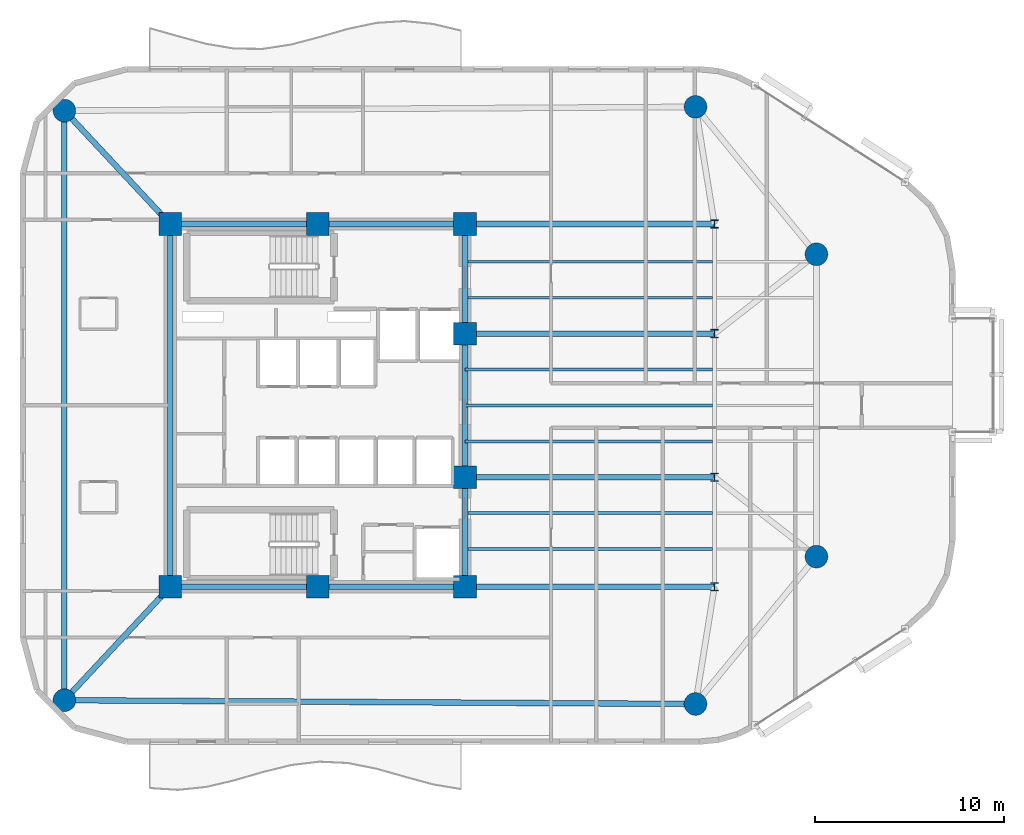
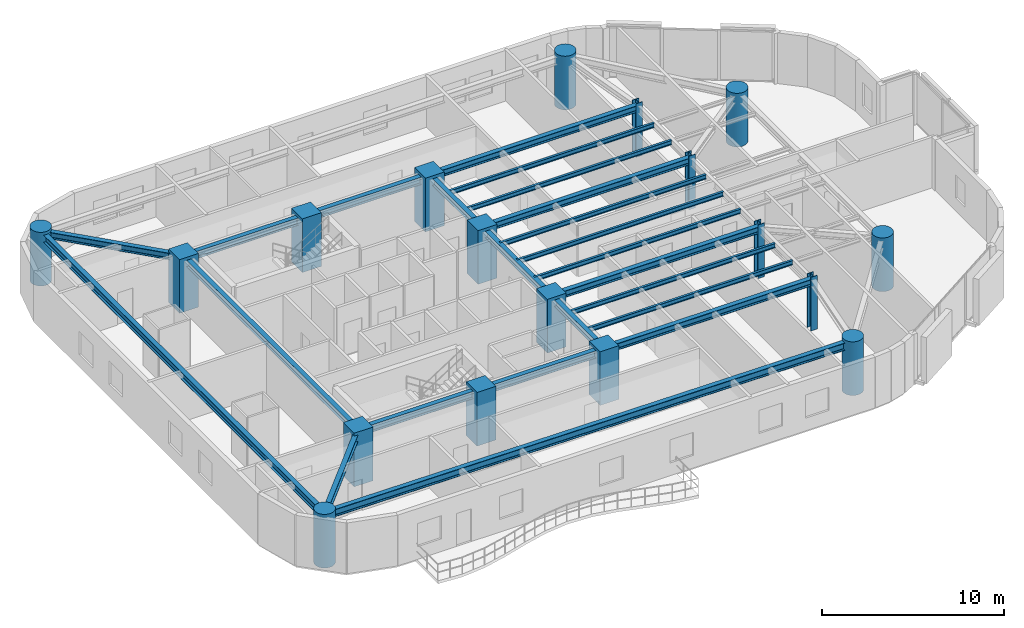
# One storey, part 1 of 13: 21 beams, 18 columns.
"""IFC4 building model written with IfcOpenShell, lengths in metres."""

from ifc_helpers import new_model, si_unit, direction, frame, origin, origin_2d, place, context, subcontext, project, spatial, rectangle, circle, i_section, extrude, material, material_profile, profile_set, type_object, element, save


model = new_model("IFC4")

# Units and contexts
model_context = context("Model", 3, precision=1e-05, world=origin(), true_north=direction((0.0, 1.0)))
body_context = subcontext(model_context, "Body", "Model", "MODEL_VIEW")
ifc_project = project(units=[si_unit("LENGTHUNIT", "METRE"), si_unit("AREAUNIT", "SQUARE_METRE"), si_unit("VOLUMEUNIT", "CUBIC_METRE"), si_unit("PLANEANGLEUNIT", "RADIAN"), si_unit("MASSUNIT", "GRAM", prefix="KILO")], contexts=[model_context])

# Site, building, storey
site_placement = place(None, origin())
site = spatial("IfcSite", under=ifc_project, at=site_placement, CompositionType="ELEMENT")
building_placement = place(site_placement, origin())
building = spatial("IfcBuilding", under=site, at=building_placement, Name="An Khanh Terracotta Commons", CompositionType="ELEMENT")
storey_placement = place(building_placement, frame((0.0, 0.0, 183.39990234375)))
storey = spatial("IfcBuildingStorey", under=building, at=storey_placement, Name="L48", CompositionType="ELEMENT", Elevation=183.39990234375)

# Columns
ifc_material_1 = material(Name="Concrete C60/75", Category="concrete")
ifc_material_profile_1 = material_profile(ifc_material_1, circle(Radius=0.60009765625, at=origin_2d()), Name="CFST1200")
ifc_profile_set_1 = profile_set([ifc_material_profile_1], Name="Concrete C60/75")
column_type_1 = type_object("IfcColumnType", Name="COL-CFST1200", PredefinedType="COLUMN", material=ifc_profile_set_1)
for number, where, z_axis, x_axis, name in (
    (1, (16.0, 8.39990234375, 0.0), (0.0, 0.0, 1.0), (1.0, 0.0, 0.0), "L48 Perimeter CFST Mega-Column MC-01"),
    (2, (49.39990234375, 8.199951171875, 0.0), (0.0, 0.0, 1.0), (1.0, 0.0, 0.0), "L48 Perimeter CFST Mega-Column MC-02"),
    (3, (55.800048828125, 16.0, 0.0), (0.0, 0.0, 1.0), (1.0, 0.0, 0.0), "L48 Perimeter CFST Mega-Column MC-03"),
    (4, (55.800048828125, 32.0, 0.0), (0.0, 0.0, 1.0), (1.0, 0.0, 0.0), "L48 Perimeter CFST Mega-Column MC-04"),
    (5, (49.39990234375, 39.800048828125, 0.0), (0.0, 0.0, 1.0), (1.0, 0.0, 0.0), "L48 Perimeter CFST Mega-Column MC-05"),
    (6, (16.0, 39.60009765625, 0.0), (0.0, 0.0, 1.0), (1.0, 0.0, 0.0), "L48 Perimeter CFST Mega-Column MC-06"),
):
    element("IfcColumn", number, at=place(storey_placement, frame(where, z_axis=z_axis, x_axis=x_axis)), inside=storey, type_object=column_type_1, Name=name, PredefinedType="COLUMN", context=body_context, shape_type="SweptSolid", body=[
        extrude(circle(Radius=0.60009765625, at=origin_2d()), origin(), (0.0, 0.0, 1.0), 3.60009765625),
    ])
ifc_material_2 = material(Name="Steel S460ML", Category="steel")
ifc_material_profile_2 = material_profile(ifc_material_2, i_section(OverallWidth=0.406005859375, OverallDepth=0.43994140625, WebThickness=0.02392578125, FlangeThickness=0.0390625, FilletRadius=0.014892578125, at=origin_2d()), Name="HD400x314")
ifc_profile_set_2 = profile_set([ifc_material_profile_2], Name="Steel S460ML")
column_type_2 = type_object("IfcColumnType", Name="COL-HD400x314", PredefinedType="COLUMN", material=ifc_profile_set_2)
for number, where, z_axis, x_axis, name in (
    (7, (50.39990234375, 14.39990234375, 0.0), (0.0, 0.0, 1.0), (1.0, 0.0, 0.0), "L48 Interior Frame Column TC-01"),
    (8, (50.39990234375, 20.199951171875, 0.0), (0.0, 0.0, 1.0), (1.0, 0.0, 0.0), "L48 Interior Frame Column TC-02"),
    (9, (50.39990234375, 27.800048828125, 0.0), (0.0, 0.0, 1.0), (1.0, 0.0, 0.0), "L48 Interior Frame Column TC-03"),
    (10, (50.39990234375, 33.60009765625, 0.0), (0.0, 0.0, 1.0), (1.0, 0.0, 0.0), "L48 Interior Frame Column TC-04"),
):
    element("IfcColumn", number, at=place(storey_placement, frame(where, z_axis=z_axis, x_axis=x_axis)), inside=storey, type_object=column_type_2, Name=name, PredefinedType="COLUMN", context=body_context, shape_type="SweptSolid", body=[
        extrude(i_section(OverallWidth=0.406005859375, OverallDepth=0.43994140625, WebThickness=0.02392578125, FlangeThickness=0.0390625, FilletRadius=0.014892578125, at=origin_2d()), origin(), (0.0, 0.0, 1.0), 3.60009765625),
    ])
ifc_material_profile_3 = material_profile(ifc_material_1, rectangle(XDim=1.199951171875, YDim=1.199951171875, at=origin_2d()), Name="RC1200x1200")
ifc_profile_set_3 = profile_set([ifc_material_profile_3], Name="Concrete C60/75")
column_type_3 = type_object("IfcColumnType", Name="COL-RC1200x1200", PredefinedType="COLUMN", material=ifc_profile_set_3)
for number, where, z_axis, x_axis, name in (
    (11, (21.60009765625, 14.39990234375, 0.0), (0.0, 0.0, 1.0), (1.0, 0.0, 0.0), "L48 Core Boundary Column CC-01"),
    (12, (29.39990234375, 14.39990234375, 0.0), (0.0, 0.0, 1.0), (1.0, 0.0, 0.0), "L48 Core Boundary Column CC-02"),
    (13, (37.199951171875, 14.39990234375, 0.0), (0.0, 0.0, 1.0), (1.0, 0.0, 0.0), "L48 Core Boundary Column CC-03"),
    (14, (37.199951171875, 20.199951171875, 0.0), (0.0, 0.0, 1.0), (1.0, 0.0, 0.0), "L48 Core Boundary Column CC-04"),
    (15, (37.199951171875, 27.800048828125, 0.0), (0.0, 0.0, 1.0), (1.0, 0.0, 0.0), "L48 Core Boundary Column CC-05"),
    (16, (37.199951171875, 33.60009765625, 0.0), (0.0, 0.0, 1.0), (1.0, 0.0, 0.0), "L48 Core Boundary Column CC-06"),
    (17, (29.39990234375, 33.60009765625, 0.0), (0.0, 0.0, 1.0), (1.0, 0.0, 0.0), "L48 Core Boundary Column CC-07"),
    (18, (21.60009765625, 33.60009765625, 0.0), (0.0, 0.0, 1.0), (1.0, 0.0, 0.0), "L48 Core Boundary Column CC-08"),
):
    element("IfcColumn", number, at=place(storey_placement, frame(where, z_axis=z_axis, x_axis=x_axis)), inside=storey, type_object=column_type_3, Name=name, PredefinedType="COLUMN", context=body_context, shape_type="SweptSolid", body=[
        extrude(rectangle(XDim=1.199951171875, YDim=1.199951171875, at=origin_2d()), origin(), (0.0, 0.0, 1.0), 3.60009765625),
    ])

# Beams
ifc_material_3 = material(Name="Steel S355J2", Category="steel")
ifc_material_profile_4 = material_profile(ifc_material_3, i_section(OverallWidth=0.300048828125, OverallDepth=0.449951171875, WebThickness=0.013916015625, FlangeThickness=0.02587890625, FilletRadius=0.027099609375, at=origin_2d()), Name="HEB450")
ifc_profile_set_4 = profile_set([ifc_material_profile_4], Name="Steel S355J2")
beam_type_1 = type_object("IfcBeamType", Name="BM-HEB450", PredefinedType="BEAM", material=ifc_profile_set_4)
beam_1_placement = place(storey_placement, frame((37.199951171875, 14.39990234375, 3.175048828125), z_axis=(0.0, 1.0, 0.0), x_axis=(-1.0, 0.0, 0.0)))
element("IfcBeam", 19, at=beam_1_placement, inside=storey, type_object=beam_type_1, Name="L48 Core East Coupling Girder 1", PredefinedType="BEAM", context=body_context, shape_type="SweptSolid", body=[
    extrude(i_section(OverallWidth=0.300048828125, OverallDepth=0.449951171875, WebThickness=0.013916015625, FlangeThickness=0.02587890625, FilletRadius=0.027099609375, at=origin_2d()), origin(), (0.0, 0.0, 1.0), 5.800048828125),
])
beam_2_placement = place(storey_placement, frame((37.199951171875, 20.199951171875, 3.175048828125), z_axis=(0.0, 1.0, 0.0), x_axis=(-1.0, 0.0, 0.0)))
element("IfcBeam", 20, at=beam_2_placement, inside=storey, type_object=beam_type_1, Name="L48 Core East Coupling Girder 2", PredefinedType="BEAM", context=body_context, shape_type="SweptSolid", body=[
    extrude(i_section(OverallWidth=0.300048828125, OverallDepth=0.449951171875, WebThickness=0.013916015625, FlangeThickness=0.02587890625, FilletRadius=0.027099609375, at=origin_2d()), origin(), (0.0, 0.0, 1.0), 7.60009765625),
])
beam_3_placement = place(storey_placement, frame((37.199951171875, 27.800048828125, 3.175048828125), z_axis=(0.0, 1.0, 0.0), x_axis=(-1.0, 0.0, 0.0)))
element("IfcBeam", 21, at=beam_3_placement, inside=storey, type_object=beam_type_1, Name="L48 Core East Coupling Girder 3", PredefinedType="BEAM", context=body_context, shape_type="SweptSolid", body=[
    extrude(i_section(OverallWidth=0.300048828125, OverallDepth=0.449951171875, WebThickness=0.013916015625, FlangeThickness=0.02587890625, FilletRadius=0.027099609375, at=origin_2d()), origin(), (0.0, 0.0, 1.0), 5.800048828125),
])
beam_4_placement = place(storey_placement, frame((21.60009765625, 14.39990234375, 3.175048828125), z_axis=(0.0, 1.0, 0.0), x_axis=(-1.0, 0.0, 0.0)))
element("IfcBeam", 22, at=beam_4_placement, inside=storey, type_object=beam_type_1, Name="L48 Core West Coupling Girder", PredefinedType="BEAM", context=body_context, shape_type="SweptSolid", body=[
    extrude(i_section(OverallWidth=0.300048828125, OverallDepth=0.449951171875, WebThickness=0.013916015625, FlangeThickness=0.02587890625, FilletRadius=0.027099609375, at=origin_2d()), origin(), (0.0, 0.0, 1.0), 19.2001953125),
])
for number, where, z_axis, x_axis, name in (
    (23, (37.199951171875, 14.39990234375, 3.175048828125), (1.0, 0.0, 0.0), (0.0, 1.0, 0.0), "L48 East Primary Floor Girder 1"),
    (24, (37.199951171875, 20.199951171875, 3.175048828125), (1.0, 0.0, 0.0), (0.0, 1.0, 0.0), "L48 East Primary Floor Girder 2"),
    (25, (37.199951171875, 27.800048828125, 3.175048828125), (1.0, 0.0, 0.0), (0.0, 1.0, 0.0), "L48 East Primary Floor Girder 3"),
    (26, (37.199951171875, 33.60009765625, 3.175048828125), (1.0, 0.0, 0.0), (0.0, 1.0, 0.0), "L48 East Primary Floor Girder 4"),
):
    element("IfcBeam", number, at=place(storey_placement, frame(where, z_axis=z_axis, x_axis=x_axis)), inside=storey, type_object=beam_type_1, Name=name, PredefinedType="BEAM", context=body_context, shape_type="SweptSolid", body=[
        extrude(i_section(OverallWidth=0.300048828125, OverallDepth=0.449951171875, WebThickness=0.013916015625, FlangeThickness=0.02587890625, FilletRadius=0.027099609375, at=origin_2d()), origin(), (0.0, 0.0, 1.0), 13.199951171875),
    ])
for number, where, z_axis, x_axis, name in (
    (27, (16.0, 8.39990234375, 3.175048828125), (0.682324609438, 0.731049333052, 0.0), (-0.731049333052, 0.682324609438, 0.0), "L48 Mega-Column Tie Girder 1"),
    (28, (16.0, 39.60009765625, 3.175048828125), (0.682324609438, -0.731049333052, 0.0), (0.731049333052, 0.682324609438, 0.0), "L48 Mega-Column Tie Girder 6"),
):
    element("IfcBeam", number, at=place(storey_placement, frame(where, z_axis=z_axis, x_axis=x_axis)), inside=storey, type_object=beam_type_1, Name=name, PredefinedType="BEAM", context=body_context, shape_type="SweptSolid", body=[
        extrude(i_section(OverallWidth=0.300048828125, OverallDepth=0.449951171875, WebThickness=0.013916015625, FlangeThickness=0.02587890625, FilletRadius=0.027099609375, at=origin_2d()), origin(), (0.0, 0.0, 1.0), 8.207275390625),
    ])
ifc_material_profile_5 = material_profile(ifc_material_3, i_section(OverallWidth=0.300048828125, OverallDepth=0.5, WebThickness=0.014404296875, FlangeThickness=0.028076171875, FilletRadius=0.027099609375, at=origin_2d()), Name="HEB500")
ifc_profile_set_5 = profile_set([ifc_material_profile_5], Name="Steel S355J2")
beam_type_2 = type_object("IfcBeamType", Name="BM-HEB500", PredefinedType="BEAM", material=ifc_profile_set_5)
for number, where, z_axis, x_axis, name in (
    (29, (21.60009765625, 14.39990234375, 3.150146484375), (1.0, 0.0, 0.0), (0.0, 1.0, 0.0), "L48 Core South Coupling Girder"),
    (30, (21.60009765625, 33.60009765625, 3.150146484375), (1.0, 0.0, 0.0), (0.0, 1.0, 0.0), "L48 Core North Coupling Girder"),
):
    element("IfcBeam", number, at=place(storey_placement, frame(where, z_axis=z_axis, x_axis=x_axis)), inside=storey, type_object=beam_type_2, Name=name, PredefinedType="BEAM", context=body_context, shape_type="SweptSolid", body=[
        extrude(i_section(OverallWidth=0.300048828125, OverallDepth=0.5, WebThickness=0.014404296875, FlangeThickness=0.028076171875, FilletRadius=0.027099609375, at=origin_2d()), origin(), (0.0, 0.0, 1.0), 15.599853515625),
    ])
beam_5_placement = place(storey_placement, frame((16.0, 8.39990234375, 3.150146484375), z_axis=(0.999982080914, -0.005986472262, 0.0), x_axis=(0.005986472262, 0.999982080914, 0.0)))
element("IfcBeam", 31, at=beam_5_placement, inside=storey, type_object=beam_type_2, Name="L48 Perimeter Ring Spandrel 1", PredefinedType="BEAM", context=body_context, shape_type="SweptSolid", body=[
    extrude(i_section(OverallWidth=0.300048828125, OverallDepth=0.5, WebThickness=0.014404296875, FlangeThickness=0.028076171875, FilletRadius=0.027099609375, at=origin_2d()), origin(), (0.0, 0.0, 1.0), 33.400390625),
])
beam_6_placement = place(storey_placement, frame((16.0, 39.60009765625, 3.150146484375), z_axis=(0.0, -1.0, 0.0), x_axis=(1.0, 0.0, 0.0)))
element("IfcBeam", 32, at=beam_6_placement, inside=storey, type_object=beam_type_2, Name="L48 Perimeter Ring Spandrel 6", PredefinedType="BEAM", context=body_context, shape_type="SweptSolid", body=[
    extrude(i_section(OverallWidth=0.300048828125, OverallDepth=0.5, WebThickness=0.014404296875, FlangeThickness=0.028076171875, FilletRadius=0.027099609375, at=origin_2d()), origin(), (0.0, 0.0, 1.0), 31.2001953125),
])
ifc_material_profile_6 = material_profile(ifc_material_3, i_section(OverallWidth=0.14990234375, OverallDepth=0.300048828125, WebThickness=0.007080078125, FlangeThickness=0.0107421875, FilletRadius=0.014892578125, at=origin_2d()), Name="IPE300")
ifc_profile_set_6 = profile_set([ifc_material_profile_6], Name="Steel S355J2")
beam_type_3 = type_object("IfcBeamType", Name="BM-IPE300", PredefinedType="JOIST", material=ifc_profile_set_6)
for number, where, z_axis, x_axis, name in (
    (33, (37.199951171875, 16.39990234375, 3.25), (1.0, 0.0, 0.0), (0.0, 1.0, 0.0), "L48 Inboard Composite Joist 1"),
    (34, (37.199951171875, 18.300048828125, 3.25), (1.0, 0.0, 0.0), (0.0, 1.0, 0.0), "L48 Inboard Composite Joist 2"),
    (35, (37.199951171875, 22.10009765625, 3.25), (1.0, 0.0, 0.0), (0.0, 1.0, 0.0), "L48 Inboard Composite Joist 3"),
    (36, (37.199951171875, 24.0, 3.25), (1.0, 0.0, 0.0), (0.0, 1.0, 0.0), "L48 Inboard Composite Joist 4"),
    (37, (37.199951171875, 25.89990234375, 3.25), (1.0, 0.0, 0.0), (0.0, 1.0, 0.0), "L48 Inboard Composite Joist 5"),
    (38, (37.199951171875, 29.699951171875, 3.25), (1.0, 0.0, 0.0), (0.0, 1.0, 0.0), "L48 Inboard Composite Joist 6"),
    (39, (37.199951171875, 31.60009765625, 3.25), (1.0, 0.0, 0.0), (0.0, 1.0, 0.0), "L48 Inboard Composite Joist 7"),
):
    element("IfcBeam", number, at=place(storey_placement, frame(where, z_axis=z_axis, x_axis=x_axis)), inside=storey, type_object=beam_type_3, Name=name, PredefinedType="JOIST", context=body_context, shape_type="SweptSolid", body=[
        extrude(i_section(OverallWidth=0.14990234375, OverallDepth=0.300048828125, WebThickness=0.007080078125, FlangeThickness=0.0107421875, FilletRadius=0.014892578125, at=origin_2d()), origin(), (0.0, 0.0, 1.0), 13.10009765625),
    ])

save(model, "model.ifc")
